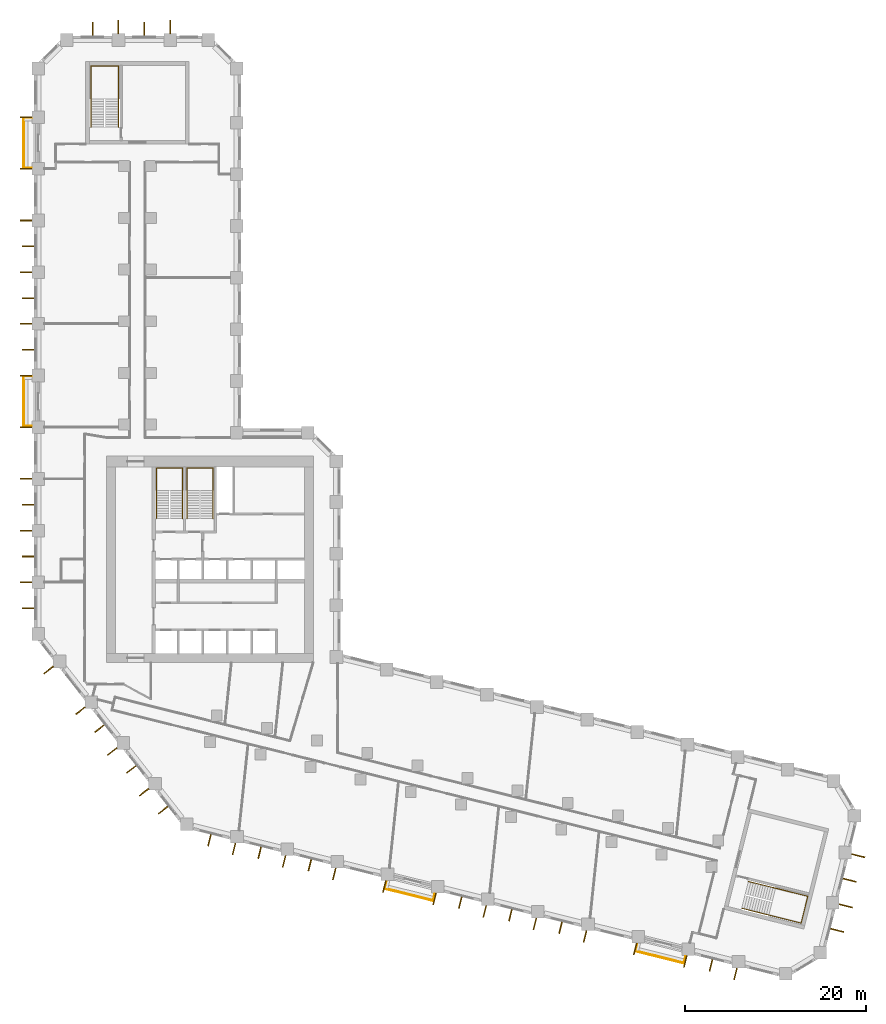
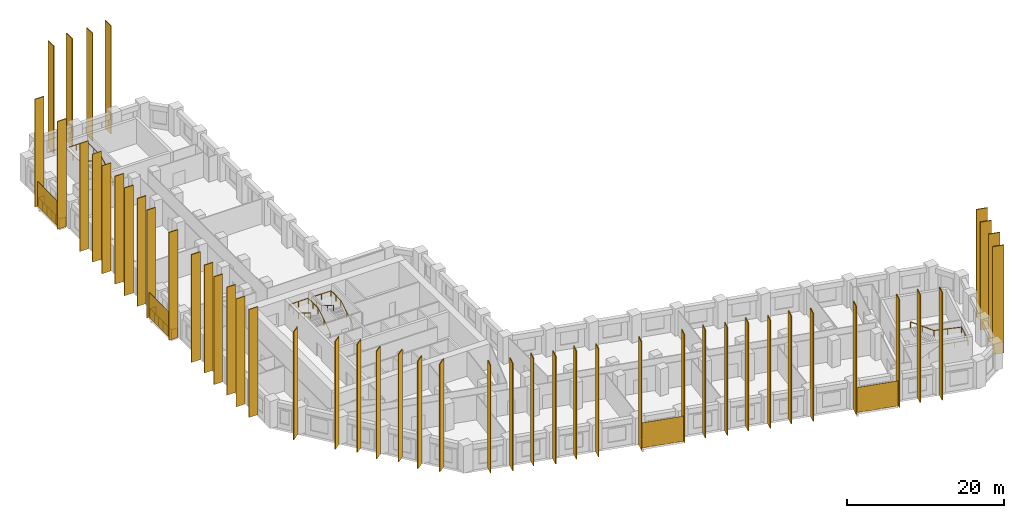
# One storey, part 11 of 11: 53 shading devices, 8 railings.
"""IFC4 building model written with IfcOpenShell, lengths in metres."""

from ifc_helpers import new_model, si_unit, direction, frame, origin, origin_2d, place, context, subcontext, project, spatial, rectangle, circle, extrude, material, layer, layer_set, type_object, element, save


model = new_model("IFC4")

# Units and contexts
model_context = context("Model", 3, precision=1e-05, world=origin(), true_north=direction((0.0, 1.0)))
body_context = subcontext(model_context, "Body", "Model", "MODEL_VIEW")
ifc_project = project(units=[si_unit("LENGTHUNIT", "METRE"), si_unit("AREAUNIT", "SQUARE_METRE"), si_unit("VOLUMEUNIT", "CUBIC_METRE"), si_unit("PLANEANGLEUNIT", "RADIAN"), si_unit("MASSUNIT", "GRAM", prefix="KILO")], contexts=[model_context])

# Site, building, storey
site_placement = place(None, origin())
site = spatial("IfcSite", under=ifc_project, at=site_placement, CompositionType="ELEMENT")
building_placement = place(site_placement, origin())
building = spatial("IfcBuilding", under=site, at=building_placement, Name="Meshkara Civic Tower", CompositionType="ELEMENT")
storey_placement = place(building_placement, frame((0.0, 0.0, 49.800048828125)))
storey = spatial("IfcBuildingStorey", under=building, at=storey_placement, Name="L10", CompositionType="ELEMENT", Elevation=49.800048828125)

# Railings
ifc_material_1 = material(Name="Steel S355", Category="steel")
railing_type_1 = type_object("IfcRailingType", Name="BALUSTRADE GUARD 1400", PredefinedType="BALUSTRADE", material=ifc_material_1)
for number, where, name in (
    (1, (-0.25, 74.135009765625, 0.0), "Balcony guard"),
    (2, (-0.25, 45.635009765625, 0.0), "Balcony guard"),
):
    element("IfcRailing", number, at=place(storey_placement, frame(where)), inside=storey, type_object=railing_type_1, Name=name, PredefinedType="BALUSTRADE", context=body_context, shape_type="SweptSolid", body=[
        extrude(circle(Radius=0.02392578125, at=origin_2d()), frame((0.0, 0.0, 1.3759765625), z_axis=(-1.0, 0.0, 0.0), x_axis=(0.0, -1.0, 0.0)), (0.0, 0.0, 1.0), 0.860107421875),
        extrude(circle(Radius=0.02392578125, at=origin_2d()), frame((-0.860107421875, 0.0, 1.3759765625), z_axis=(0.0, -1.0, 0.0), x_axis=(1.0, 0.0, 0.0)), (0.0, 0.0, 1.0), 5.4599609375),
        extrude(circle(Radius=0.02392578125, at=origin_2d()), frame((-0.860107421875, -5.4599609375, 1.3759765625), z_axis=(1.0, 0.0, 0.0), x_axis=(0.0, 1.0, 0.0)), (0.0, 0.0, 1.0), 0.860107421875),
        extrude(circle(Radius=0.02099609375, at=origin_2d()), origin(), (0.0, 0.0, 1.0), 1.351806640625),
        extrude(circle(Radius=0.02099609375, at=origin_2d()), frame((-0.860107421875, 0.0, 0.0)), (0.0, 0.0, 1.0), 1.351806640625),
        extrude(circle(Radius=0.02099609375, at=origin_2d()), frame((-0.860107421875, -1.092041015625, 0.0)), (0.0, 0.0, 1.0), 1.351806640625),
        extrude(circle(Radius=0.02099609375, at=origin_2d()), frame((-0.860107421875, -2.18408203125, 0.0)), (0.0, 0.0, 1.0), 1.351806640625),
        extrude(circle(Radius=0.02099609375, at=origin_2d()), frame((-0.860107421875, -3.27587890625, 0.0)), (0.0, 0.0, 1.0), 1.351806640625),
        extrude(circle(Radius=0.02099609375, at=origin_2d()), frame((-0.860107421875, -4.367919921875, 0.0)), (0.0, 0.0, 1.0), 1.351806640625),
        extrude(circle(Radius=0.02099609375, at=origin_2d()), frame((-0.860107421875, -5.4599609375, 0.0)), (0.0, 0.0, 1.0), 1.351806640625),
        extrude(circle(Radius=0.02099609375, at=origin_2d()), frame((0.0, -5.4599609375, 0.0)), (0.0, 0.0, 1.0), 1.351806640625),
    ])
railing_1_placement = place(storey_placement, frame((38.885009765625, -10.10595703125, 0.0)))
element("IfcRailing", 3, at=railing_1_placement, inside=storey, type_object=railing_type_1, Name="Balcony guard", PredefinedType="BALUSTRADE", context=body_context, shape_type="SweptSolid", body=[
    extrude(circle(Radius=0.02392578125, at=origin_2d()), frame((0.0, 0.0, 1.3759765625), z_axis=(-0.242050887106, -0.970263555974, 0.0), x_axis=(0.970263555974, -0.242050887106, 0.0)), (0.0, 0.0, 1.0), 0.711181640625),
    extrude(circle(Radius=0.02392578125, at=origin_2d()), frame((-0.172119140625, -0.68994140625, 1.3759765625), z_axis=(0.970292231073, -0.24193591366, 0.0), x_axis=(0.24193591366, 0.970292231073, 0.0)), (0.0, 0.0, 1.0), 5.460205078125),
    extrude(circle(Radius=0.02392578125, at=origin_2d()), frame((5.1259765625, -2.010986328125, 1.3759765625), z_axis=(0.242050887106, 0.970263555974, 0.0), x_axis=(-0.970263555974, 0.242050887106, 0.0)), (0.0, 0.0, 1.0), 0.711181640625),
    extrude(circle(Radius=0.02099609375, at=origin_2d()), origin(), (0.0, 0.0, 1.0), 1.351806640625),
    extrude(circle(Radius=0.02099609375, at=origin_2d()), frame((-0.172119140625, -0.68994140625, 0.0)), (0.0, 0.0, 1.0), 1.351806640625),
    extrude(circle(Radius=0.02099609375, at=origin_2d()), frame((0.887451171875, -0.9541015625, 0.0)), (0.0, 0.0, 1.0), 1.351806640625),
    extrude(circle(Radius=0.02099609375, at=origin_2d()), frame((1.947021484375, -1.21826171875, 0.0)), (0.0, 0.0, 1.0), 1.351806640625),
    extrude(circle(Radius=0.02099609375, at=origin_2d()), frame((3.0068359375, -1.482666015625, 0.0)), (0.0, 0.0, 1.0), 1.351806640625),
    extrude(circle(Radius=0.02099609375, at=origin_2d()), frame((4.06640625, -1.746826171875, 0.0)), (0.0, 0.0, 1.0), 1.351806640625),
    extrude(circle(Radius=0.02099609375, at=origin_2d()), frame((5.1259765625, -2.010986328125, 0.0)), (0.0, 0.0, 1.0), 1.351806640625),
    extrude(circle(Radius=0.02099609375, at=origin_2d()), frame((5.298095703125, -1.321044921875, 0.0)), (0.0, 0.0, 1.0), 1.351806640625),
])
railing_2_placement = place(storey_placement, frame((66.5380859375, -17.0, 0.0)))
element("IfcRailing", 4, at=railing_2_placement, inside=storey, type_object=railing_type_1, Name="Balcony guard", PredefinedType="BALUSTRADE", context=body_context, shape_type="SweptSolid", body=[
    extrude(circle(Radius=0.02392578125, at=origin_2d()), frame((0.0, 0.0, 1.3759765625), z_axis=(-0.241728770141, -0.970343857447, 0.0), x_axis=(0.970343857447, -0.241728770141, 0.0)), (0.0, 0.0, 1.0), 0.7119140625),
    extrude(circle(Radius=0.02392578125, at=origin_2d()), frame((-0.172119140625, -0.69091796875, 1.3759765625), z_axis=(0.970292231073, -0.24193591366, 0.0), x_axis=(0.24193591366, 0.970292231073, 0.0)), (0.0, 0.0, 1.0), 5.460205078125),
    extrude(circle(Radius=0.02392578125, at=origin_2d()), frame((5.1259765625, -2.011962890625, 1.3759765625), z_axis=(0.241405887632, 0.970424235794, 0.0), x_axis=(-0.970424235794, 0.241405887632, 0.0)), (0.0, 0.0, 1.0), 0.7119140625),
    extrude(circle(Radius=0.02099609375, at=origin_2d()), origin(), (0.0, 0.0, 1.0), 1.351806640625),
    extrude(circle(Radius=0.02099609375, at=origin_2d()), frame((-0.172119140625, -0.69091796875, 0.0)), (0.0, 0.0, 1.0), 1.351806640625),
    extrude(circle(Radius=0.02099609375, at=origin_2d()), frame((0.887451171875, -0.955078125, 0.0)), (0.0, 0.0, 1.0), 1.351806640625),
    extrude(circle(Radius=0.02099609375, at=origin_2d()), frame((1.947021484375, -1.21923828125, 0.0)), (0.0, 0.0, 1.0), 1.351806640625),
    extrude(circle(Radius=0.02099609375, at=origin_2d()), frame((3.0068359375, -1.483642578125, 0.0)), (0.0, 0.0, 1.0), 1.351806640625),
    extrude(circle(Radius=0.02099609375, at=origin_2d()), frame((4.06640625, -1.747802734375, 0.0)), (0.0, 0.0, 1.0), 1.351806640625),
    extrude(circle(Radius=0.02099609375, at=origin_2d()), frame((5.1259765625, -2.011962890625, 0.0)), (0.0, 0.0, 1.0), 1.351806640625),
    extrude(circle(Radius=0.02099609375, at=origin_2d()), frame((5.2978515625, -1.321044921875, 0.0)), (0.0, 0.0, 1.0), 1.351806640625),
])

# Shading devices
ifc_material_2 = material(Name="Bronze anodised aluminium", Category="aluminium")
ifc_layer_1 = layer(ifc_material_2, 0.1201171875)
ifc_layer_set_1 = layer_set([ifc_layer_1], Name="BRONZE FIN 1300")
shading_device_type_1 = type_object("IfcShadingDeviceType", Name="BRONZE FIN 1300", PredefinedType="USERDEFINED", material=ifc_layer_set_1)
for number, where, z_axis, x_axis, name in (
    (5, (-0.89990234375, 74.2548828125, 0.0), (0.0, 0.0, 1.0), (0.0, -1.0, 0.0), "Fin"),
    (6, (-0.89990234375, 68.554931640625, 0.0), (0.0, 0.0, 1.0), (0.0, -1.0, 0.0), "Fin"),
    (7, (-0.89990234375, 62.85498046875, 0.0), (0.0, 0.0, 1.0), (0.0, -1.0, 0.0), "Fin"),
    (8, (-0.64990234375, 60.0048828125, 0.0), (0.0, 0.0, 1.0), (0.0, -1.0, 0.0), "Fin"),
    (9, (-0.89990234375, 57.155029296875, 0.0), (0.0, 0.0, 1.0), (0.0, -1.0, 0.0), "Fin"),
    (10, (-0.64990234375, 54.304931640625, 0.0), (0.0, 0.0, 1.0), (0.0, -1.0, 0.0), "Fin"),
    (11, (-0.89990234375, 51.455078125, 0.0), (0.0, 0.0, 1.0), (0.0, -1.0, 0.0), "Fin"),
    (12, (-0.64990234375, 48.60498046875, 0.0), (0.0, 0.0, 1.0), (0.0, -1.0, 0.0), "Fin"),
    (13, (-0.89990234375, 45.7548828125, 0.0), (0.0, 0.0, 1.0), (0.0, -1.0, 0.0), "Fin"),
    (14, (-0.89990234375, 40.054931640625, 0.0), (0.0, 0.0, 1.0), (0.0, -1.0, 0.0), "Fin"),
    (15, (-0.89990234375, 34.35498046875, 0.0), (0.0, 0.0, 1.0), (0.0, -1.0, 0.0), "Fin"),
    (16, (-0.64990234375, 31.5048828125, 0.0), (0.0, 0.0, 1.0), (0.0, -1.0, 0.0), "Fin"),
    (17, (-0.89990234375, 28.655029296875, 0.0), (0.0, 0.0, 1.0), (0.0, -1.0, 0.0), "Fin"),
    (18, (-0.64990234375, 25.804931640625, 0.0), (0.0, 0.0, 1.0), (0.0, -1.0, 0.0), "Fin"),
    (19, (-0.89990234375, 22.955078125, 0.0), (0.0, 0.0, 1.0), (0.0, -1.0, 0.0), "Fin"),
    (20, (-0.64990234375, 20.10498046875, 0.0), (0.0, 0.0, 1.0), (0.0, -1.0, 0.0), "Fin"),
    (21, (1.60205078125, 13.281982421875, 0.0), (0.0, 0.0, 1.0), (0.615661475326, -0.788010753607, 0.0), "Fin"),
    (22, (5.111083984375, 8.7900390625, 0.0), (0.0, 0.0, 1.0), (0.615661475326, -0.788010753607, 0.0), "Fin"),
    (23, (7.2109375, 6.81396484375, 0.0), (0.0, 0.0, 1.0), (0.615661475326, -0.788010753607, 0.0), "Fin"),
    (24, (8.62109375, 4.298095703125, 0.0), (0.0, 0.0, 1.0), (0.615661475326, -0.788010753607, 0.0), "Fin"),
    (25, (10.720947265625, 2.322021484375, 0.0), (0.0, 0.0, 1.0), (0.615661475326, -0.788010753607, 0.0), "Fin"),
    (26, (12.1298828125, -0.193115234375, 0.0), (0.0, 0.0, 1.0), (0.615661475326, -0.788010753607, 0.0), "Fin"),
    (27, (14.22998046875, -2.1689453125, 0.0), (0.0, 0.0, 1.0), (0.615661475326, -0.788010753607, 0.0), "Fin"),
    (28, (19.35009765625, -5.4951171875, 0.0), (0.0, 0.0, 1.0), (0.970295726276, -0.2419218956, 0.0), "Fin"),
    (29, (22.050048828125, -6.447998046875, 0.0), (0.0, 0.0, 1.0), (0.970295726276, -0.2419218956, 0.0), "Fin"),
    (30, (24.881103515625, -6.8740234375, 0.0), (0.0, 0.0, 1.0), (0.970295726276, -0.2419218956, 0.0), "Fin"),
    (31, (27.580078125, -7.826904296875, 0.0), (0.0, 0.0, 1.0), (0.970295726276, -0.2419218956, 0.0), "Fin"),
    (32, (30.410888671875, -8.251953125, 0.0), (0.0, 0.0, 1.0), (0.970295726276, -0.2419218956, 0.0), "Fin"),
    (33, (33.111083984375, -9.2060546875, 0.0), (0.0, 0.0, 1.0), (0.970295726276, -0.2419218956, 0.0), "Fin"),
    (34, (38.64208984375, -10.5849609375, 0.0), (0.0, 0.0, 1.0), (0.970295726276, -0.2419218956, 0.0), "Fin"),
    (35, (44.173095703125, -11.962890625, 0.0), (0.0, 0.0, 1.0), (0.970295726276, -0.2419218956, 0.0), "Fin"),
    (36, (47.00390625, -12.388916015625, 0.0), (0.0, 0.0, 1.0), (0.970295726276, -0.2419218956, 0.0), "Fin"),
    (37, (49.702880859375, -13.342041015625, 0.0), (0.0, 0.0, 1.0), (0.970295726276, -0.2419218956, 0.0), "Fin"),
    (38, (52.533935546875, -13.76806640625, 0.0), (0.0, 0.0, 1.0), (0.970295726276, -0.2419218956, 0.0), "Fin"),
    (39, (55.23388671875, -14.720947265625, 0.0), (0.0, 0.0, 1.0), (0.970295726276, -0.2419218956, 0.0), "Fin"),
    (40, (58.06494140625, -15.14697265625, 0.0), (0.0, 0.0, 1.0), (0.970295726276, -0.2419218956, 0.0), "Fin"),
    (41, (60.764892578125, -16.10009765625, 0.0), (0.0, 0.0, 1.0), (0.970295726276, -0.2419218956, 0.0), "Fin"),
    (42, (66.294921875, -17.47900390625, 0.0), (0.0, 0.0, 1.0), (0.970295726276, -0.2419218956, 0.0), "Fin"),
    (43, (71.825927734375, -18.85791015625, 0.0), (0.0, 0.0, 1.0), (0.970295726276, -0.2419218956, 0.0), "Fin"),
    (44, (74.656982421875, -19.283935546875, 0.0), (0.0, 0.0, 1.0), (0.970295726276, -0.2419218956, 0.0), "Fin"),
    (45, (77.35693359375, -20.237060546875, 0.0), (0.0, 0.0, 1.0), (0.970295726276, -0.2419218956, 0.0), "Fin"),
):
    element("IfcShadingDevice", number, at=place(storey_placement, frame(where, z_axis=z_axis, x_axis=x_axis)), inside=storey, type_object=shading_device_type_1, Name=name, ObjectType="FIN", PredefinedType="USERDEFINED", context=body_context, shape_type="SweptSolid", body=[
        extrude(rectangle(XDim=0.1201171875, YDim=1.300048828125, at=origin_2d()), origin(), (0.0, 0.0, 1.0), 16.800048828125),
    ])
ifc_material_3 = material(Name="Bronze anodised aluminium", Category="aluminium")
ifc_layer_2 = layer(ifc_material_3, 0.1201171875)
ifc_layer_set_2 = layer_set([ifc_layer_2], Name="BRONZE FIN 1500")
shading_device_type_2 = type_object("IfcShadingDeviceType", Name="BRONZE FIN 1500", PredefinedType="USERDEFINED", material=ifc_layer_set_2)
for number, where, z_axis, x_axis, name in (
    (46, (15.006103515625, 84.219970703125, 0.0), (0.0, 0.0, 1.0), (-1.0, 0.0, 0.0), "Fin"),
    (47, (12.156005859375, 83.969970703125, 0.0), (0.0, 0.0, 1.0), (-1.0, 0.0, 0.0), "Fin"),
    (48, (9.305908203125, 84.219970703125, 0.0), (0.0, 0.0, 1.0), (-1.0, 0.0, 0.0), "Fin"),
    (49, (6.4560546875, 83.969970703125, 0.0), (0.0, 0.0, 1.0), (-1.0, 0.0, 0.0), "Fin"),
    (50, (88.568115234375, -15.427978515625, 0.0), (0.0, 0.0, 1.0), (0.2419218956, 0.970295726276, 0.0), "Fin"),
    (51, (89.52099609375, -12.72802734375, 0.0), (0.0, 0.0, 1.0), (0.2419218956, 0.970295726276, 0.0), "Fin"),
    (52, (89.947021484375, -9.89697265625, 0.0), (0.0, 0.0, 1.0), (0.2419218956, 0.970295726276, 0.0), "Fin"),
    (53, (90.89990234375, -7.197998046875, 0.0), (0.0, 0.0, 1.0), (0.2419218956, 0.970295726276, 0.0), "Fin"),
):
    element("IfcShadingDevice", number, at=place(storey_placement, frame(where, z_axis=z_axis, x_axis=x_axis)), inside=storey, type_object=shading_device_type_2, Name=name, ObjectType="FIN", PredefinedType="USERDEFINED", context=body_context, shape_type="SweptSolid", body=[
        extrude(rectangle(XDim=0.1201171875, YDim=1.5, at=origin_2d()), origin(), (0.0, 0.0, 1.0), 16.800048828125),
    ])
ifc_material_4 = material(Name="Perforated bronze anodised aluminium sheet", Category="aluminium")
ifc_layer_3 = layer(ifc_material_4, 0.0400390625)
ifc_layer_set_3 = layer_set([ifc_layer_3], Name="PERFORATED BRONZE SCREEN")
shading_device_type_3 = type_object("IfcShadingDeviceType", Name="PERFORATED BRONZE SCREEN", PredefinedType="USERDEFINED", material=ifc_layer_set_3)
for number, where, z_axis, x_axis, name in (
    (54, (-1.179931640625, 71.405029296875, 0.0), (0.0, 0.0, 1.0), (0.0, -1.0, 0.0), "Balcony screen"),
    (55, (-1.179931640625, 42.905029296875, 0.0), (0.0, 0.0, 1.0), (0.0, -1.0, 0.0), "Balcony screen"),
    (56, (41.344970703125, -11.52490234375, 0.0), (0.0, 0.0, 1.0), (0.970295726276, -0.2419218956, 0.0), "Balcony screen"),
    (57, (68.998046875, -18.4189453125, 0.0), (0.0, 0.0, 1.0), (0.970295726276, -0.2419218956, 0.0), "Balcony screen"),
):
    element("IfcShadingDevice", number, at=place(storey_placement, frame(where, z_axis=z_axis, x_axis=x_axis)), inside=storey, type_object=shading_device_type_3, Name=name, ObjectType="SCREEN", PredefinedType="USERDEFINED", context=body_context, shape_type="SweptSolid", body=[
        extrude(rectangle(XDim=5.580078125, YDim=0.0400390625, at=origin_2d()), origin(), (0.0, 0.0, 1.0), 3.89990234375),
    ])

# Railings
ifc_material_5 = material(Name="Steel handrail", Category="steel")
railing_type_2 = type_object("IfcRailingType", Name="Stair handrail 900", PredefinedType="HANDRAIL", material=ifc_material_5)
railing_3_placement = place(storey_placement, frame((16.375, 30.0, 0.175048828125)))
element("IfcRailing", 58, at=railing_3_placement, inside=storey, type_object=railing_type_2, Name="L10 ST1 stair handrail 1", PredefinedType="HANDRAIL", context=body_context, shape_type="SweptSolid", body=[
    extrude(circle(Radius=0.02392578125, at=origin_2d()), frame((0.0, 0.0, 0.8759765625), z_axis=(0.0, 0.848028513186, 0.529950602248), x_axis=(-1.0, 0.0, 0.0)), (0.0, 0.0, 1.0), 3.632080078125),
    extrude(circle(Radius=0.02392578125, at=origin_2d()), frame((0.0, 3.080078125, 2.80078125), z_axis=(0.0, 1.0, 0.0), x_axis=(-1.0, 0.0, 0.0)), (0.0, 0.0, 1.0), 2.469970703125),
    extrude(circle(Radius=0.02392578125, at=origin_2d()), frame((0.0, 5.550048828125, 2.80078125), z_axis=(-1.0, 0.0, 0.0), x_axis=(0.0, -1.0, 0.0)), (0.0, 0.0, 1.0), 2.85009765625),
    extrude(circle(Radius=0.02392578125, at=origin_2d()), frame((-2.85009765625, 5.550048828125, 2.80078125), z_axis=(0.0, -0.997498084828, 0.070693498747), x_axis=(1.0, 0.0, 0.0)), (0.0, 0.0, 1.0), 2.47607421875),
    extrude(circle(Radius=0.02392578125, at=origin_2d()), frame((-2.85009765625, 3.080078125, 2.9755859375), z_axis=(0.0, -0.847998304005, 0.529998940003), x_axis=(1.0, 0.0, 0.0)), (0.0, 0.0, 1.0), 3.632080078125),
    extrude(circle(Radius=0.02099609375, at=origin_2d()), origin(), (0.0, 0.0, 1.0), 0.851806640625),
    extrude(circle(Radius=0.02099609375, at=origin_2d()), frame((0.0, 1.5400390625, 0.96240234375)), (0.0, 0.0, 1.0), 0.851806640625),
    extrude(circle(Radius=0.02099609375, at=origin_2d()), frame((0.0, 3.080078125, 1.9248046875)), (0.0, 0.0, 1.0), 0.851806640625),
    extrude(circle(Radius=0.02099609375, at=origin_2d()), frame((0.0, 4.31494140625, 1.9248046875)), (0.0, 0.0, 1.0), 0.851806640625),
    extrude(circle(Radius=0.02099609375, at=origin_2d()), frame((0.0, 5.550048828125, 1.9248046875)), (0.0, 0.0, 1.0), 0.851806640625),
    extrude(circle(Radius=0.02099609375, at=origin_2d()), frame((-1.425048828125, 5.550048828125, 1.9248046875)), (0.0, 0.0, 1.0), 0.851806640625),
    extrude(circle(Radius=0.02099609375, at=origin_2d()), frame((-2.85009765625, 5.550048828125, 1.9248046875)), (0.0, 0.0, 1.0), 0.851806640625),
    extrude(circle(Radius=0.02099609375, at=origin_2d()), frame((-2.85009765625, 4.31494140625, 2.01220703125)), (0.0, 0.0, 1.0), 0.851806640625),
    extrude(circle(Radius=0.02099609375, at=origin_2d()), frame((-2.85009765625, 3.080078125, 2.099853515625)), (0.0, 0.0, 1.0), 0.851806640625),
    extrude(circle(Radius=0.02099609375, at=origin_2d()), frame((-2.85009765625, 1.5400390625, 3.0625)), (0.0, 0.0, 1.0), 0.851806640625),
    extrude(circle(Radius=0.02099609375, at=origin_2d()), frame((-2.85009765625, 0.0, 4.02490234375)), (0.0, 0.0, 1.0), 0.851806640625),
])
railing_4_placement = place(storey_placement, frame((19.72509765625, 30.0, 0.175048828125)))
element("IfcRailing", 59, at=railing_4_placement, inside=storey, type_object=railing_type_2, Name="L10 ST2 stair handrail 1", PredefinedType="HANDRAIL", context=body_context, shape_type="SweptSolid", body=[
    extrude(circle(Radius=0.02392578125, at=origin_2d()), frame((0.0, 0.0, 0.8759765625), z_axis=(0.0, 0.848028513186, 0.529950602248), x_axis=(-1.0, 0.0, 0.0)), (0.0, 0.0, 1.0), 3.632080078125),
    extrude(circle(Radius=0.02392578125, at=origin_2d()), frame((0.0, 3.080078125, 2.80078125), z_axis=(0.0, 1.0, 0.0), x_axis=(-1.0, 0.0, 0.0)), (0.0, 0.0, 1.0), 2.469970703125),
    extrude(circle(Radius=0.02392578125, at=origin_2d()), frame((0.0, 5.550048828125, 2.80078125), z_axis=(-1.0, 0.0, 0.0), x_axis=(0.0, -1.0, 0.0)), (0.0, 0.0, 1.0), 2.85009765625),
    extrude(circle(Radius=0.02392578125, at=origin_2d()), frame((-2.85009765625, 5.550048828125, 2.80078125), z_axis=(0.0, -0.997498084828, 0.070693498747), x_axis=(1.0, 0.0, 0.0)), (0.0, 0.0, 1.0), 2.47607421875),
    extrude(circle(Radius=0.02392578125, at=origin_2d()), frame((-2.85009765625, 3.080078125, 2.9755859375), z_axis=(0.0, -0.847998304005, 0.529998940003), x_axis=(1.0, 0.0, 0.0)), (0.0, 0.0, 1.0), 3.632080078125),
    extrude(circle(Radius=0.02099609375, at=origin_2d()), origin(), (0.0, 0.0, 1.0), 0.851806640625),
    extrude(circle(Radius=0.02099609375, at=origin_2d()), frame((0.0, 1.5400390625, 0.96240234375)), (0.0, 0.0, 1.0), 0.851806640625),
    extrude(circle(Radius=0.02099609375, at=origin_2d()), frame((0.0, 3.080078125, 1.9248046875)), (0.0, 0.0, 1.0), 0.851806640625),
    extrude(circle(Radius=0.02099609375, at=origin_2d()), frame((0.0, 4.31494140625, 1.9248046875)), (0.0, 0.0, 1.0), 0.851806640625),
    extrude(circle(Radius=0.02099609375, at=origin_2d()), frame((0.0, 5.550048828125, 1.9248046875)), (0.0, 0.0, 1.0), 0.851806640625),
    extrude(circle(Radius=0.02099609375, at=origin_2d()), frame((-1.425048828125, 5.550048828125, 1.9248046875)), (0.0, 0.0, 1.0), 0.851806640625),
    extrude(circle(Radius=0.02099609375, at=origin_2d()), frame((-2.85009765625, 5.550048828125, 1.9248046875)), (0.0, 0.0, 1.0), 0.851806640625),
    extrude(circle(Radius=0.02099609375, at=origin_2d()), frame((-2.85009765625, 4.31494140625, 2.01220703125)), (0.0, 0.0, 1.0), 0.851806640625),
    extrude(circle(Radius=0.02099609375, at=origin_2d()), frame((-2.85009765625, 3.080078125, 2.099853515625)), (0.0, 0.0, 1.0), 0.851806640625),
    extrude(circle(Radius=0.02099609375, at=origin_2d()), frame((-2.85009765625, 1.5400390625, 3.0625)), (0.0, 0.0, 1.0), 0.851806640625),
    extrude(circle(Radius=0.02099609375, at=origin_2d()), frame((-2.85009765625, 0.0, 4.02490234375)), (0.0, 0.0, 1.0), 0.851806640625),
])
railing_5_placement = place(storey_placement, frame((9.324951171875, 73.169921875, 0.175048828125)))
element("IfcRailing", 60, at=railing_5_placement, inside=storey, type_object=railing_type_2, Name="L10 ESA1 stair handrail 1", PredefinedType="HANDRAIL", context=body_context, shape_type="SweptSolid", body=[
    extrude(circle(Radius=0.02392578125, at=origin_2d()), frame((0.0, 0.0, 0.8759765625), z_axis=(0.0, 0.848028513186, 0.529950602248), x_axis=(-1.0, 0.0, 0.0)), (0.0, 0.0, 1.0), 3.632080078125),
    extrude(circle(Radius=0.02392578125, at=origin_2d()), frame((0.0, 3.080078125, 2.80078125), z_axis=(0.0, 1.0, 0.0), x_axis=(-1.0, 0.0, 0.0)), (0.0, 0.0, 1.0), 3.669921875),
    extrude(circle(Radius=0.02392578125, at=origin_2d()), frame((0.0, 6.75, 2.80078125), z_axis=(-1.0, 0.0, 0.0), x_axis=(0.0, -1.0, 0.0)), (0.0, 0.0, 1.0), 3.050048828125),
    extrude(circle(Radius=0.02392578125, at=origin_2d()), frame((-3.050048828125, 6.75, 2.80078125), z_axis=(0.0, -0.998864376167, 0.047644076484), x_axis=(1.0, 0.0, 0.0)), (0.0, 0.0, 1.0), 3.674072265625),
    extrude(circle(Radius=0.02392578125, at=origin_2d()), frame((-3.050048828125, 3.080078125, 2.9755859375), z_axis=(0.0, -0.847998304005, 0.529998940003), x_axis=(1.0, 0.0, 0.0)), (0.0, 0.0, 1.0), 3.632080078125),
    extrude(circle(Radius=0.02099609375, at=origin_2d()), origin(), (0.0, 0.0, 1.0), 0.851806640625),
    extrude(circle(Radius=0.02099609375, at=origin_2d()), frame((0.0, 1.5400390625, 0.96240234375)), (0.0, 0.0, 1.0), 0.851806640625),
    extrude(circle(Radius=0.02099609375, at=origin_2d()), frame((0.0, 3.080078125, 1.9248046875)), (0.0, 0.0, 1.0), 0.851806640625),
    extrude(circle(Radius=0.02099609375, at=origin_2d()), frame((0.0, 4.9150390625, 1.9248046875)), (0.0, 0.0, 1.0), 0.851806640625),
    extrude(circle(Radius=0.02099609375, at=origin_2d()), frame((0.0, 6.75, 1.9248046875)), (0.0, 0.0, 1.0), 0.851806640625),
    extrude(circle(Radius=0.02099609375, at=origin_2d()), frame((-1.52490234375, 6.75, 1.9248046875)), (0.0, 0.0, 1.0), 0.851806640625),
    extrude(circle(Radius=0.02099609375, at=origin_2d()), frame((-3.050048828125, 6.75, 1.9248046875)), (0.0, 0.0, 1.0), 0.851806640625),
    extrude(circle(Radius=0.02099609375, at=origin_2d()), frame((-3.050048828125, 4.9150390625, 2.01220703125)), (0.0, 0.0, 1.0), 0.851806640625),
    extrude(circle(Radius=0.02099609375, at=origin_2d()), frame((-3.050048828125, 3.080078125, 2.099853515625)), (0.0, 0.0, 1.0), 0.851806640625),
    extrude(circle(Radius=0.02099609375, at=origin_2d()), frame((-3.050048828125, 1.5400390625, 3.0625)), (0.0, 0.0, 1.0), 0.851806640625),
    extrude(circle(Radius=0.02099609375, at=origin_2d()), frame((-3.050048828125, 0.0, 4.02490234375)), (0.0, 0.0, 1.0), 0.851806640625),
])
railing_6_placement = place(storey_placement, frame((78.045166015625, -12.99169921875, 0.175048828125)))
element("IfcRailing", 61, at=railing_6_placement, inside=storey, type_object=railing_type_2, Name="L10 ESB1 stair handrail 1", PredefinedType="HANDRAIL", context=body_context, shape_type="SweptSolid", body=[
    extrude(circle(Radius=0.02392578125, at=origin_2d()), frame((0.0, 0.0, 0.8759765625), z_axis=(0.822811278243, -0.205282709236, 0.529943968439), x_axis=(0.242069343812, 0.970258951408, 0.0)), (0.0, 0.0, 1.0), 3.632080078125),
    extrude(circle(Radius=0.02392578125, at=origin_2d()), frame((2.988525390625, -0.74560546875, 2.80078125), z_axis=(0.970255876456, -0.242081668456, 0.0), x_axis=(0.242081668456, 0.970255876456, 0.0)), (0.0, 0.0, 1.0), 3.669921875),
    extrude(circle(Radius=0.02392578125, at=origin_2d()), frame((6.54931640625, -1.634033203125, 2.80078125), z_axis=(0.242064726708, 0.970260103315, 0.0), x_axis=(-0.970260103315, 0.242064726708, 0.0)), (0.0, 0.0, 1.0), 3.050048828125),
    extrude(circle(Radius=0.02392578125, at=origin_2d()), frame((7.28759765625, 1.3251953125, 2.80078125), z_axis=(-0.969154047904, 0.241806759021, 0.047643706023), x_axis=(-0.242081668456, -0.970255876456, 0.0)), (0.0, 0.0, 1.0), 3.674072265625),
    extrude(circle(Radius=0.02392578125, at=origin_2d()), frame((3.726806640625, 2.213623046875, 2.9755859375), z_axis=(-0.822781968105, 0.205275396666, 0.529992306062), x_axis=(-0.242069343812, -0.970258951408, 0.0)), (0.0, 0.0, 1.0), 3.63232421875),
    extrude(circle(Radius=0.02099609375, at=origin_2d()), origin(), (0.0, 0.0, 1.0), 0.851806640625),
    extrude(circle(Radius=0.02099609375, at=origin_2d()), frame((1.494140625, -0.372802734375, 0.96240234375)), (0.0, 0.0, 1.0), 0.851806640625),
    extrude(circle(Radius=0.02099609375, at=origin_2d()), frame((2.988525390625, -0.74560546875, 1.9248046875)), (0.0, 0.0, 1.0), 0.851806640625),
    extrude(circle(Radius=0.02099609375, at=origin_2d()), frame((4.76904296875, -1.18994140625, 1.9248046875)), (0.0, 0.0, 1.0), 0.851806640625),
    extrude(circle(Radius=0.02099609375, at=origin_2d()), frame((6.54931640625, -1.634033203125, 1.9248046875)), (0.0, 0.0, 1.0), 0.851806640625),
    extrude(circle(Radius=0.02099609375, at=origin_2d()), frame((6.91845703125, -0.154296875, 1.9248046875)), (0.0, 0.0, 1.0), 0.851806640625),
    extrude(circle(Radius=0.02099609375, at=origin_2d()), frame((7.28759765625, 1.3251953125, 1.9248046875)), (0.0, 0.0, 1.0), 0.851806640625),
    extrude(circle(Radius=0.02099609375, at=origin_2d()), frame((5.50732421875, 1.76953125, 2.01220703125)), (0.0, 0.0, 1.0), 0.851806640625),
    extrude(circle(Radius=0.02099609375, at=origin_2d()), frame((3.726806640625, 2.213623046875, 2.099853515625)), (0.0, 0.0, 1.0), 0.851806640625),
    extrude(circle(Radius=0.02099609375, at=origin_2d()), frame((2.232421875, 2.58642578125, 3.0625)), (0.0, 0.0, 1.0), 0.851806640625),
    extrude(circle(Radius=0.02099609375, at=origin_2d()), frame((0.73828125, 2.959228515625, 4.02490234375)), (0.0, 0.0, 1.0), 0.851806640625),
])

save(model, "model.ifc")
